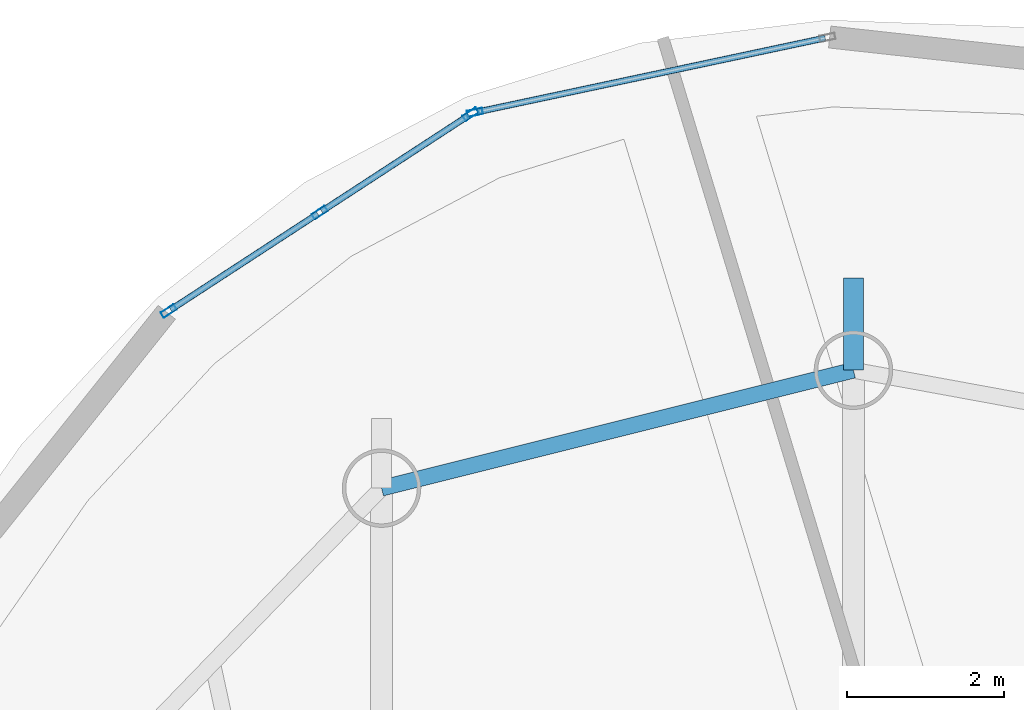
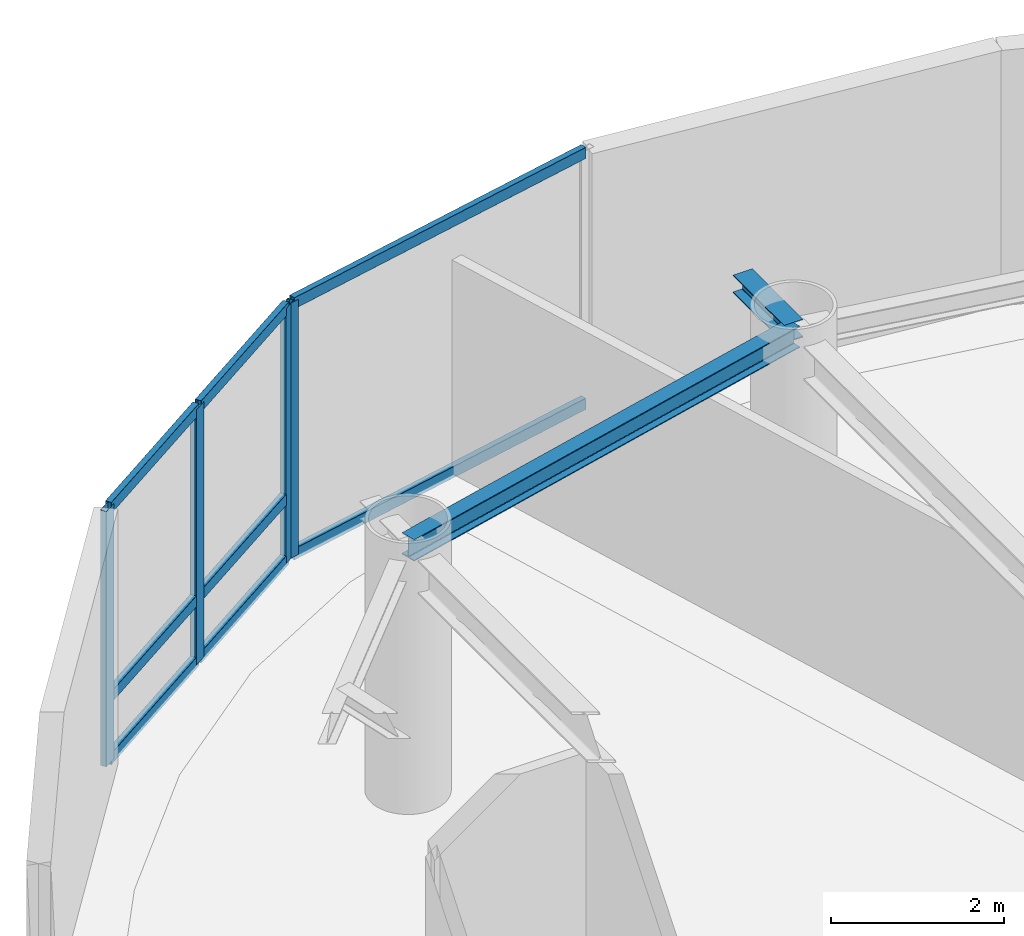
# One storey, part 10 of 20: 12 members, 2 beams, 2 elements without a shape of their own.
"""IFC4 building model written with IfcOpenShell, lengths in metres."""

from ifc_helpers import new_model, si_unit, direction, frame, origin, origin_2d, place, context, subcontext, project, spatial, hollow_rectangle, i_section, extrude, material, layer, layer_set, material_profile, profile_set, type_object, element, aggregate, save


model = new_model("IFC4")

# Units and contexts
model_context = context("Model", 3, precision=1e-05, world=origin(), true_north=direction((0.0, 1.0)))
body_context = subcontext(model_context, "Body", "Model", "MODEL_VIEW")
ifc_project = project(units=[si_unit("LENGTHUNIT", "METRE"), si_unit("AREAUNIT", "SQUARE_METRE"), si_unit("VOLUMEUNIT", "CUBIC_METRE"), si_unit("PLANEANGLEUNIT", "RADIAN"), si_unit("MASSUNIT", "GRAM", prefix="KILO")], contexts=[model_context])

# Site, building, storey
site_placement = place(None, origin())
site = spatial("IfcSite", under=ifc_project, at=site_placement, CompositionType="ELEMENT")
building_placement = place(site_placement, origin())
building = spatial("IfcBuilding", under=site, at=building_placement, Name="Bramvorn Convention Spire", CompositionType="ELEMENT")
storey_placement = place(building_placement, frame((0.0, 0.0, 303.64990234375)))
storey = spatial("IfcBuildingStorey", under=building, at=storey_placement, Name="L77", CompositionType="ELEMENT", Elevation=303.64990234375)

# Beams
ifc_material_1 = material(Name="Steel CSA G40.21 Grade 350 (350W)", Category="steel")
ifc_material_profile_1 = material_profile(ifc_material_1, i_section(OverallWidth=0.25390625, OverallDepth=0.2529296875, WebThickness=0.008544921875, FlangeThickness=0.01416015625, FilletRadius=0.011962890625, at=origin_2d()))
ifc_profile_set_1 = profile_set([ifc_material_profile_1], Name="Steel CSA G40.21 Grade 350 (350W) - W250X73")
beam_type_1 = type_object("IfcBeamType", Name="BM-W250X73", PredefinedType="BEAM", material=ifc_profile_set_1)
beam_1_placement = place(storey_placement, frame((32.8115234375, 46.90087890625, 3.4736328125), z_axis=(0.0, 1.0, 0.0), x_axis=(-1.0, 0.0, 0.0)))
element("IfcBeam", 1, at=beam_1_placement, inside=storey, type_object=beam_type_1, Name="L77 slab-edge cantilever tip beam MC08", PredefinedType="BEAM", context=body_context, shape_type="SweptSolid", body=[
    extrude(i_section(OverallWidth=0.25390625, OverallDepth=0.2529296875, WebThickness=0.008544921875, FlangeThickness=0.01416015625, FilletRadius=0.011962890625, at=origin_2d()), origin(), (0.0, 0.0, 1.0), 1.1767578125),
])
ifc_material_profile_2 = material_profile(ifc_material_1, i_section(OverallWidth=0.202880859375, OverallDepth=0.302978515625, WebThickness=0.007568359375, FlangeThickness=0.01318359375, FilletRadius=0.013916015625, at=origin_2d()))
ifc_profile_set_2 = profile_set([ifc_material_profile_2], Name="Steel CSA G40.21 Grade 350 (350W) - W310X60")
beam_type_2 = type_object("IfcBeamType", Name="BM-W310X60", PredefinedType="JOIST", material=ifc_profile_set_2)
beam_2_placement = place(storey_placement, frame((32.8115234375, 46.90087890625, 3.448486328125), z_axis=(-0.970177255997, -0.24239655927, 0.0), x_axis=(0.24239655927, -0.970177255997, 0.0)))
element("IfcBeam", 2, at=beam_2_placement, inside=storey, type_object=beam_type_2, Name="L77 mega-column ring beam 08", PredefinedType="JOIST", context=body_context, shape_type="SweptSolid", body=[
    extrude(i_section(OverallWidth=0.202880859375, OverallDepth=0.302978515625, WebThickness=0.007568359375, FlangeThickness=0.01318359375, FilletRadius=0.013916015625, at=origin_2d()), origin(), (0.0, 0.0, 1.0), 6.1962890625),
])

# Curtain wall, member
ifc_material_2 = material(Name="Anodised Bronze Unitised Curtain Wall", Category="aluminium")
ifc_layer = layer(ifc_material_2, 0.179931640625)
ifc_layer_set = layer_set([ifc_layer], Name="Anodised Bronze Unitised Curtain Wall - CW-OFF-FRIT")
curtain_wall_type = type_object("IfcCurtainWallType", Name="CW-OFF-FRIT", PredefinedType="USERDEFINED", material=ifc_layer_set)
curtain_wall_1_placement = place(storey_placement, origin())
curtain_wall_1 = element("IfcCurtainWall", 3, at=curtain_wall_1_placement, inside=storey, type_object=curtain_wall_type, Name="L77 fritted glass curtain wall 12", ObjectType="UNITISED CURTAIN WALL", PredefinedType="USERDEFINED")
ifc_material_3 = material(Name="Anodised Bronze Aluminium 6063-T6", Category="aluminium")
ifc_material_profile_3 = material_profile(ifc_material_3, hollow_rectangle(XDim=0.080078125, YDim=0.199951171875, WallThickness=0.00390625, InnerFilletRadius=0.0009765625, OuterFilletRadius=0.00390625, at=origin_2d()))
ifc_profile_set_3 = profile_set([ifc_material_profile_3], Name="Anodised Bronze Aluminium 6063-T6 - CWM80X200")
member_type_1 = type_object("IfcMemberType", Name="CW-MUL-180", PredefinedType="MULLION", material=ifc_profile_set_3)
member_1_placement = place(storey_placement, frame((27.989501953125, 50.1845703125, 0.0), z_axis=(0.0, 0.0, 1.0), x_axis=(-0.207969335421, 0.97813534622, 0.0)))
member_1 = element("IfcMember", 4, at=member_1_placement, type_object=member_type_1, Name="CW3 mullion 1", PredefinedType="MULLION", context=body_context, shape_type="SweptSolid", body=[
    extrude(hollow_rectangle(XDim=0.080078125, YDim=0.199951171875, WallThickness=0.00390625, InnerFilletRadius=0.0009765625, OuterFilletRadius=0.00390625, at=origin_2d()), origin(), (0.0, 0.0, 1.0), 3.60009765625),
])

# Curtain wall, members
curtain_wall_2_placement = place(storey_placement, origin())
curtain_wall_2 = element("IfcCurtainWall", 5, at=curtain_wall_2_placement, inside=storey, type_object=curtain_wall_type, Name="L77 fritted glass curtain wall 13", ObjectType="UNITISED CURTAIN WALL", PredefinedType="USERDEFINED")
member_2_placement = place(storey_placement, frame((24.08935546875, 47.6552734375, 0.0), z_axis=(0.0, 0.0, 1.0), x_axis=(-0.546046058527, 0.837755156336, 0.0)))
member_2 = element("IfcMember", 6, at=member_2_placement, type_object=member_type_1, Name="CW3 mullion 1", PredefinedType="MULLION", context=body_context, shape_type="SweptSolid", body=[
    extrude(hollow_rectangle(XDim=0.080078125, YDim=0.199951171875, WallThickness=0.00390625, InnerFilletRadius=0.0009765625, OuterFilletRadius=0.00390625, at=origin_2d()), origin(), (0.0, 0.0, 1.0), 3.60009765625),
])
member_3_placement = place(storey_placement, frame((26.01220703125, 48.90869140625, 0.0), z_axis=(0.0, 0.0, 1.0), x_axis=(-0.546046058527, 0.837755156336, 0.0)))
member_3 = element("IfcMember", 7, at=member_3_placement, type_object=member_type_1, Name="CW3 mullion 2", PredefinedType="MULLION", context=body_context, shape_type="SweptSolid", body=[
    extrude(hollow_rectangle(XDim=0.080078125, YDim=0.199951171875, WallThickness=0.00390625, InnerFilletRadius=0.0009765625, OuterFilletRadius=0.00390625, at=origin_2d()), origin(), (0.0, 0.0, 1.0), 3.60009765625),
])
member_4_placement = place(storey_placement, frame((27.93505859375, 50.162109375, 0.0), z_axis=(0.0, 0.0, 1.0), x_axis=(-0.546046058527, 0.837755156336, 0.0)))
member_4 = element("IfcMember", 8, at=member_4_placement, type_object=member_type_1, Name="CW3 mullion 3", PredefinedType="MULLION", context=body_context, shape_type="SweptSolid", body=[
    extrude(hollow_rectangle(XDim=0.080078125, YDim=0.199951171875, WallThickness=0.00390625, InnerFilletRadius=0.0009765625, OuterFilletRadius=0.00390625, at=origin_2d()), origin(), (0.0, 0.0, 1.0), 3.60009765625),
])

# Member
ifc_material_profile_4 = material_profile(ifc_material_3, hollow_rectangle(XDim=0.080078125, YDim=0.159912109375, WallThickness=0.00390625, InnerFilletRadius=0.0009765625, OuterFilletRadius=0.00390625, at=origin_2d()))
ifc_profile_set_4 = profile_set([ifc_material_profile_4], Name="Anodised Bronze Aluminium 6063-T6 - CWT80X160")
member_type_2 = type_object("IfcMemberType", Name="CW-TRN-150", PredefinedType="USERDEFINED", material=ifc_profile_set_4)
member_5_placement = place(storey_placement, frame((28.018798828125, 50.19091796875, 0.030029296875), z_axis=(0.978140221691, 0.207946403455, 0.0), x_axis=(-0.207946403455, 0.978140221691, 0.0)))
member_5 = element("IfcMember", 9, at=member_5_placement, type_object=member_type_2, Name="CW3 transom 1.1", ObjectType="TRANSOM", PredefinedType="USERDEFINED", context=body_context, shape_type="SweptSolid", body=[
    extrude(hollow_rectangle(XDim=0.080078125, YDim=0.159912109375, WallThickness=0.00390625, InnerFilletRadius=0.0009765625, OuterFilletRadius=0.00390625, at=origin_2d()), origin(), (0.0, 0.0, 1.0), 4.53076171875),
])

member_6_placement = place(storey_placement, frame((28.018798828125, 50.19091796875, 3.570068359375), z_axis=(0.978140221691, 0.207946403455, 0.0), x_axis=(-0.207946403455, 0.978140221691, 0.0)))
member_6 = element("IfcMember", 10, at=member_6_placement, type_object=member_type_2, Name="CW3 transom 1.2", ObjectType="TRANSOM", PredefinedType="USERDEFINED", context=body_context, shape_type="SweptSolid", body=[
    extrude(hollow_rectangle(XDim=0.080078125, YDim=0.159912109375, WallThickness=0.00390625, InnerFilletRadius=0.0009765625, OuterFilletRadius=0.00390625, at=origin_2d()), origin(), (0.0, 0.0, 1.0), 4.53076171875),
])

aggregate(curtain_wall_1, [member_1, member_5, member_6])

member_7_placement = place(storey_placement, frame((24.114501953125, 47.671875, 0.030029296875), z_axis=(0.837769186582, 0.546024532428, 0.0), x_axis=(-0.546024532428, 0.837769186582, 0.0)))
member_7 = element("IfcMember", 11, at=member_7_placement, type_object=member_type_2, Name="CW3 transom 1.1", ObjectType="TRANSOM", PredefinedType="USERDEFINED", context=body_context, shape_type="SweptSolid", body=[
    extrude(hollow_rectangle(XDim=0.080078125, YDim=0.159912109375, WallThickness=0.00390625, InnerFilletRadius=0.0009765625, OuterFilletRadius=0.00390625, at=origin_2d()), origin(), (0.0, 0.0, 1.0), 2.235107421875),
])

member_8_placement = place(storey_placement, frame((24.114501953125, 47.671875, 0.900146484375), z_axis=(0.837769186582, 0.546024532428, 0.0), x_axis=(-0.546024532428, 0.837769186582, 0.0)))
member_8 = element("IfcMember", 12, at=member_8_placement, type_object=member_type_2, Name="CW3 transom 1.2", ObjectType="TRANSOM", PredefinedType="USERDEFINED", context=body_context, shape_type="SweptSolid", body=[
    extrude(hollow_rectangle(XDim=0.080078125, YDim=0.159912109375, WallThickness=0.00390625, InnerFilletRadius=0.0009765625, OuterFilletRadius=0.00390625, at=origin_2d()), origin(), (0.0, 0.0, 1.0), 2.235107421875),
])

member_9_placement = place(storey_placement, frame((24.114501953125, 47.671875, 3.570068359375), z_axis=(0.837769186582, 0.546024532428, 0.0), x_axis=(-0.546024532428, 0.837769186582, 0.0)))
member_9 = element("IfcMember", 13, at=member_9_placement, type_object=member_type_2, Name="CW3 transom 1.3", ObjectType="TRANSOM", PredefinedType="USERDEFINED", context=body_context, shape_type="SweptSolid", body=[
    extrude(hollow_rectangle(XDim=0.080078125, YDim=0.159912109375, WallThickness=0.00390625, InnerFilletRadius=0.0009765625, OuterFilletRadius=0.00390625, at=origin_2d()), origin(), (0.0, 0.0, 1.0), 2.235107421875),
])

member_10_placement = place(storey_placement, frame((26.037353515625, 48.925048828125, 0.030029296875), z_axis=(0.837719221094, 0.546101187154, 0.0), x_axis=(-0.546101187154, 0.837719221094, 0.0)))
member_10 = element("IfcMember", 14, at=member_10_placement, type_object=member_type_2, Name="CW3 transom 2.1", ObjectType="TRANSOM", PredefinedType="USERDEFINED", context=body_context, shape_type="SweptSolid", body=[
    extrude(hollow_rectangle(XDim=0.080078125, YDim=0.159912109375, WallThickness=0.00390625, InnerFilletRadius=0.0009765625, OuterFilletRadius=0.00390625, at=origin_2d()), origin(), (0.0, 0.0, 1.0), 2.2353515625),
])

member_11_placement = place(storey_placement, frame((26.037353515625, 48.925048828125, 0.900146484375), z_axis=(0.837719221094, 0.546101187154, 0.0), x_axis=(-0.546101187154, 0.837719221094, 0.0)))
member_11 = element("IfcMember", 15, at=member_11_placement, type_object=member_type_2, Name="CW3 transom 2.2", ObjectType="TRANSOM", PredefinedType="USERDEFINED", context=body_context, shape_type="SweptSolid", body=[
    extrude(hollow_rectangle(XDim=0.080078125, YDim=0.159912109375, WallThickness=0.00390625, InnerFilletRadius=0.0009765625, OuterFilletRadius=0.00390625, at=origin_2d()), origin(), (0.0, 0.0, 1.0), 2.2353515625),
])

member_12_placement = place(storey_placement, frame((26.037353515625, 48.925048828125, 3.570068359375), z_axis=(0.837719221094, 0.546101187154, 0.0), x_axis=(-0.546101187154, 0.837719221094, 0.0)))
member_12 = element("IfcMember", 16, at=member_12_placement, type_object=member_type_2, Name="CW3 transom 2.3", ObjectType="TRANSOM", PredefinedType="USERDEFINED", context=body_context, shape_type="SweptSolid", body=[
    extrude(hollow_rectangle(XDim=0.080078125, YDim=0.159912109375, WallThickness=0.00390625, InnerFilletRadius=0.0009765625, OuterFilletRadius=0.00390625, at=origin_2d()), origin(), (0.0, 0.0, 1.0), 2.2353515625),
])

aggregate(curtain_wall_2, [member_2, member_3, member_4, member_7, member_8, member_9, member_10, member_11, member_12])

save(model, "model.ifc")
